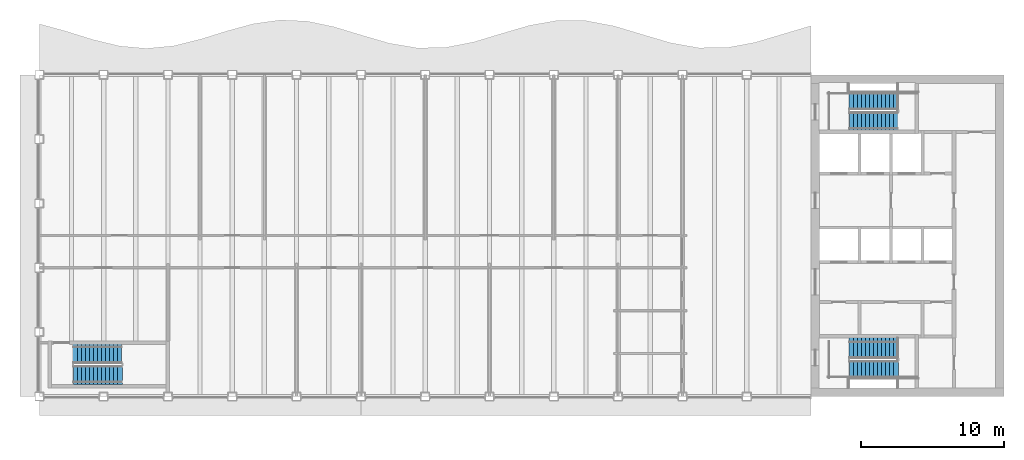
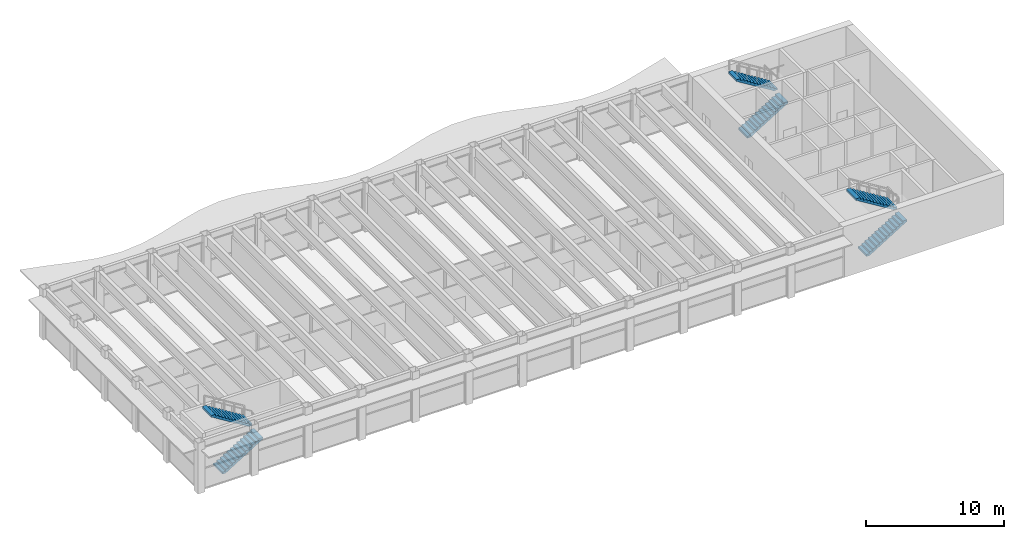
# One storey, part 11 of 14: 6 stair flights, 3 elements without a shape of their own.
"""IFC4 building model written with IfcOpenShell, lengths in metres."""

from ifc_helpers import new_model, si_unit, direction, frame, origin, place, context, subcontext, project, spatial, polyline, outline, extrude, material, type_object, element, aggregate, save


model = new_model("IFC4")

# Units and contexts
model_context = context("Model", 3, precision=1e-05, world=origin(), true_north=direction((0.0, 1.0)))
body_context = subcontext(model_context, "Body", "Model", "MODEL_VIEW")
ifc_project = project(units=[si_unit("LENGTHUNIT", "METRE"), si_unit("AREAUNIT", "SQUARE_METRE"), si_unit("VOLUMEUNIT", "CUBIC_METRE"), si_unit("PLANEANGLEUNIT", "RADIAN"), si_unit("MASSUNIT", "GRAM", prefix="KILO")], contexts=[model_context])

# Site, building, storey
site_placement = place(None, origin())
site = spatial("IfcSite", under=ifc_project, at=site_placement, CompositionType="ELEMENT")
building_placement = place(site_placement, origin())
building = spatial("IfcBuilding", under=site, at=building_placement, Name="Sennacour Bend Tower", CompositionType="ELEMENT")
storey_placement = place(building_placement, frame((0.0, 0.0, 314.0)))
storey = spatial("IfcBuildingStorey", under=building, at=storey_placement, Name="L72", CompositionType="ELEMENT", Elevation=314.0)

# Stair, stair flights
ifc_material = material(Name="Concrete C40/50", Category="concrete")
stair_type = type_object("IfcStairType", Name="ST-DOGLEG", PredefinedType="HALF_TURN_STAIR", material=ifc_material)
stair_1_placement = place(storey_placement, origin())
stair_1 = element("IfcStair", 1, at=stair_1_placement, inside=storey, type_object=stair_type, Name="L72 Exit stair A1", PredefinedType="HALF_TURN_STAIR")
stair_flight_type = type_object("IfcStairFlightType", Name="SFL-RC", PredefinedType="STRAIGHT", material=ifc_material)
stair_flight_1_placement = place(storey_placement, frame((56.699951171875, 1.89990234375, 0.0), z_axis=(0.0, 0.0, 1.0), x_axis=(1.0, 0.0, 0.0)))
stair_flight_1 = element("IfcStairFlight", 2, at=stair_flight_1_placement, type_object=stair_flight_type, Name="SA1 flight 1", NumberOfRisers=13, NumberOfTreads=12, PredefinedType="STRAIGHT", RiserHeight=0.173076923, TreadLength=0.28, context=body_context, shape_type="SweptSolid", body=[
    extrude(outline(polyline([(0.0, 0.0), (0.0, 0.173095703125), (0.280029296875, 0.173095703125), (0.280029296875, 0.34619140625), (0.56005859375, 0.34619140625), (0.56005859375, 0.519287109375), (0.840087890625, 0.519287109375), (0.840087890625, 0.6923828125), (1.1201171875, 0.6923828125), (1.1201171875, 0.865478515625), (1.39990234375, 0.865478515625), (1.39990234375, 1.03857421875), (1.679931640625, 1.03857421875), (1.679931640625, 1.21142578125), (1.9599609375, 1.21142578125), (1.9599609375, 1.384521484375), (2.239990234375, 1.384521484375), (2.239990234375, 1.5576171875), (2.52001953125, 1.5576171875), (2.52001953125, 1.730712890625), (2.800048828125, 1.730712890625), (2.800048828125, 1.90380859375), (3.080078125, 1.90380859375), (3.080078125, 2.076904296875), (3.360107421875, 2.076904296875), (3.419921875, 2.076904296875), (3.419921875, 1.900634765625), (3.360107421875, 1.900634765625), (0.28515625, 0.0), (0.0, 0.0)])), frame((0.0, 0.60009765625, 0.0), z_axis=(0.0, -1.0, 0.0), x_axis=(1.0, 0.0, 0.0)), (0.0, 0.0, 1.0), 1.199951171875),
])
stair_flight_2_placement = place(storey_placement, frame((60.06005859375, 3.37744140625, 2.25), z_axis=(0.0, 0.0, 1.0), x_axis=(-1.0, 0.0, 0.0)))
stair_flight_2 = element("IfcStairFlight", 3, at=stair_flight_2_placement, type_object=stair_flight_type, Name="SA1 flight 2", NumberOfRisers=13, NumberOfTreads=12, PredefinedType="STRAIGHT", RiserHeight=0.173076923, TreadLength=0.28, context=body_context, shape_type="SweptSolid", body=[
    extrude(outline(polyline([(0.0, 0.0), (0.0, 0.173095703125), (0.280029296875, 0.173095703125), (0.280029296875, 0.34619140625), (0.56005859375, 0.34619140625), (0.56005859375, 0.519287109375), (0.840087890625, 0.519287109375), (0.840087890625, 0.6923828125), (1.1201171875, 0.6923828125), (1.1201171875, 0.865478515625), (1.39990234375, 0.865478515625), (1.39990234375, 1.03857421875), (1.679931640625, 1.03857421875), (1.679931640625, 1.21142578125), (1.9599609375, 1.21142578125), (1.9599609375, 1.384521484375), (2.239990234375, 1.384521484375), (2.239990234375, 1.5576171875), (2.52001953125, 1.5576171875), (2.52001953125, 1.730712890625), (2.800048828125, 1.730712890625), (2.800048828125, 1.90380859375), (3.080078125, 1.90380859375), (3.080078125, 2.076904296875), (3.360107421875, 2.076904296875), (3.419921875, 2.076904296875), (3.419921875, 1.900634765625), (3.360107421875, 1.900634765625), (0.28515625, 0.0), (0.0, 0.0)])), frame((0.0, 0.7275390625, 0.0), z_axis=(0.0, -1.0, 0.0), x_axis=(1.0, 0.0, 0.0)), (0.0, 0.0, 1.0), 1.455078125),
])
aggregate(stair_1, [stair_flight_1, stair_flight_2])

stair_2_placement = place(storey_placement, origin())
stair_2 = element("IfcStair", 4, at=stair_2_placement, inside=storey, type_object=stair_type, Name="L72 Exit stair A2", PredefinedType="HALF_TURN_STAIR")
stair_flight_3_placement = place(storey_placement, frame((56.699951171875, 19.24755859375, 0.0), z_axis=(0.0, 0.0, 1.0), x_axis=(1.0, 0.0, 0.0)))
stair_flight_3 = element("IfcStairFlight", 5, at=stair_flight_3_placement, type_object=stair_flight_type, Name="SA2 flight 1", NumberOfRisers=13, NumberOfTreads=12, PredefinedType="STRAIGHT", RiserHeight=0.173076923, TreadLength=0.28, context=body_context, shape_type="SweptSolid", body=[
    extrude(outline(polyline([(0.0, 0.0), (0.0, 0.173095703125), (0.280029296875, 0.173095703125), (0.280029296875, 0.34619140625), (0.56005859375, 0.34619140625), (0.56005859375, 0.519287109375), (0.840087890625, 0.519287109375), (0.840087890625, 0.6923828125), (1.1201171875, 0.6923828125), (1.1201171875, 0.865478515625), (1.39990234375, 0.865478515625), (1.39990234375, 1.03857421875), (1.679931640625, 1.03857421875), (1.679931640625, 1.21142578125), (1.9599609375, 1.21142578125), (1.9599609375, 1.384521484375), (2.239990234375, 1.384521484375), (2.239990234375, 1.5576171875), (2.52001953125, 1.5576171875), (2.52001953125, 1.730712890625), (2.800048828125, 1.730712890625), (2.800048828125, 1.90380859375), (3.080078125, 1.90380859375), (3.080078125, 2.076904296875), (3.360107421875, 2.076904296875), (3.419921875, 2.076904296875), (3.419921875, 1.900634765625), (3.360107421875, 1.900634765625), (0.28515625, 0.0), (0.0, 0.0)])), frame((0.0, 0.65234375, 0.0), z_axis=(0.0, -1.0, 0.0), x_axis=(1.0, 0.0, 0.0)), (0.0, 0.0, 1.0), 1.304931640625),
])
stair_flight_4_placement = place(storey_placement, frame((60.06005859375, 20.64990234375, 2.25), z_axis=(0.0, 0.0, 1.0), x_axis=(-1.0, 0.0, 0.0)))
stair_flight_4 = element("IfcStairFlight", 6, at=stair_flight_4_placement, type_object=stair_flight_type, Name="SA2 flight 2", NumberOfRisers=13, NumberOfTreads=12, PredefinedType="STRAIGHT", RiserHeight=0.173076923, TreadLength=0.28, context=body_context, shape_type="SweptSolid", body=[
    extrude(outline(polyline([(0.0, 0.0), (0.0, 0.173095703125), (0.280029296875, 0.173095703125), (0.280029296875, 0.34619140625), (0.56005859375, 0.34619140625), (0.56005859375, 0.519287109375), (0.840087890625, 0.519287109375), (0.840087890625, 0.6923828125), (1.1201171875, 0.6923828125), (1.1201171875, 0.865478515625), (1.39990234375, 0.865478515625), (1.39990234375, 1.03857421875), (1.679931640625, 1.03857421875), (1.679931640625, 1.21142578125), (1.9599609375, 1.21142578125), (1.9599609375, 1.384521484375), (2.239990234375, 1.384521484375), (2.239990234375, 1.5576171875), (2.52001953125, 1.5576171875), (2.52001953125, 1.730712890625), (2.800048828125, 1.730712890625), (2.800048828125, 1.90380859375), (3.080078125, 1.90380859375), (3.080078125, 2.076904296875), (3.360107421875, 2.076904296875), (3.419921875, 2.076904296875), (3.419921875, 1.900634765625), (3.360107421875, 1.900634765625), (0.28515625, 0.0), (0.0, 0.0)])), frame((0.0, 0.60009765625, 0.0), z_axis=(0.0, -1.0, 0.0), x_axis=(1.0, 0.0, 0.0)), (0.0, 0.0, 1.0), 1.199951171875),
])
aggregate(stair_2, [stair_flight_3, stair_flight_4])

stair_3_placement = place(storey_placement, origin())
stair_3 = element("IfcStair", 7, at=stair_3_placement, inside=storey, type_object=stair_type, Name="L72 Exit stair K1", PredefinedType="HALF_TURN_STAIR")
stair_flight_5_placement = place(storey_placement, frame((2.39990234375, 1.485107421875, 0.0), z_axis=(0.0, 0.0, 1.0), x_axis=(1.0, 0.0, 0.0)))
stair_flight_5 = element("IfcStairFlight", 8, at=stair_flight_5_placement, type_object=stair_flight_type, Name="SK1 flight 1", NumberOfRisers=13, NumberOfTreads=12, PredefinedType="STRAIGHT", RiserHeight=0.173076923, TreadLength=0.28, context=body_context, shape_type="SweptSolid", body=[
    extrude(outline(polyline([(0.0, 0.0), (0.0, 0.173095703125), (0.280029296875, 0.173095703125), (0.280029296875, 0.34619140625), (0.56005859375, 0.34619140625), (0.56005859375, 0.519287109375), (0.840087890625, 0.519287109375), (0.840087890625, 0.6923828125), (1.1201171875, 0.6923828125), (1.1201171875, 0.865478515625), (1.39990234375, 0.865478515625), (1.39990234375, 1.03857421875), (1.679931640625, 1.03857421875), (1.679931640625, 1.21142578125), (1.9599609375, 1.21142578125), (1.9599609375, 1.384521484375), (2.239990234375, 1.384521484375), (2.239990234375, 1.5576171875), (2.52001953125, 1.5576171875), (2.52001953125, 1.730712890625), (2.800048828125, 1.730712890625), (2.800048828125, 1.90380859375), (3.080078125, 1.90380859375), (3.080078125, 2.076904296875), (3.360107421875, 2.076904296875), (3.419921875, 2.076904296875), (3.419921875, 1.900634765625), (3.360107421875, 1.900634765625), (0.28515625, 0.0), (0.0, 0.0)])), frame((0.0, 0.6650390625, 0.0), z_axis=(0.0, -1.0, 0.0), x_axis=(1.0, 0.0, 0.0)), (0.0, 0.0, 1.0), 1.330078125),
])
stair_flight_6_placement = place(storey_placement, frame((5.760009765625, 2.9775390625, 2.25), z_axis=(0.0, 0.0, 1.0), x_axis=(-1.0, 0.0, 0.0)))
stair_flight_6 = element("IfcStairFlight", 9, at=stair_flight_6_placement, type_object=stair_flight_type, Name="SK1 flight 2", NumberOfRisers=13, NumberOfTreads=12, PredefinedType="STRAIGHT", RiserHeight=0.173076923, TreadLength=0.28, context=body_context, shape_type="SweptSolid", body=[
    extrude(outline(polyline([(0.0, 0.0), (0.0, 0.173095703125), (0.280029296875, 0.173095703125), (0.280029296875, 0.34619140625), (0.56005859375, 0.34619140625), (0.56005859375, 0.519287109375), (0.840087890625, 0.519287109375), (0.840087890625, 0.6923828125), (1.1201171875, 0.6923828125), (1.1201171875, 0.865478515625), (1.39990234375, 0.865478515625), (1.39990234375, 1.03857421875), (1.679931640625, 1.03857421875), (1.679931640625, 1.21142578125), (1.9599609375, 1.21142578125), (1.9599609375, 1.384521484375), (2.239990234375, 1.384521484375), (2.239990234375, 1.5576171875), (2.52001953125, 1.5576171875), (2.52001953125, 1.730712890625), (2.800048828125, 1.730712890625), (2.800048828125, 1.90380859375), (3.080078125, 1.90380859375), (3.080078125, 2.076904296875), (3.360107421875, 2.076904296875), (3.419921875, 2.076904296875), (3.419921875, 1.900634765625), (3.360107421875, 1.900634765625), (0.28515625, 0.0), (0.0, 0.0)])), frame((0.0, 0.677490234375, 0.0), z_axis=(0.0, -1.0, 0.0), x_axis=(1.0, 0.0, 0.0)), (0.0, 0.0, 1.0), 1.35498046875),
])
aggregate(stair_3, [stair_flight_5, stair_flight_6])

save(model, "model.ifc")
